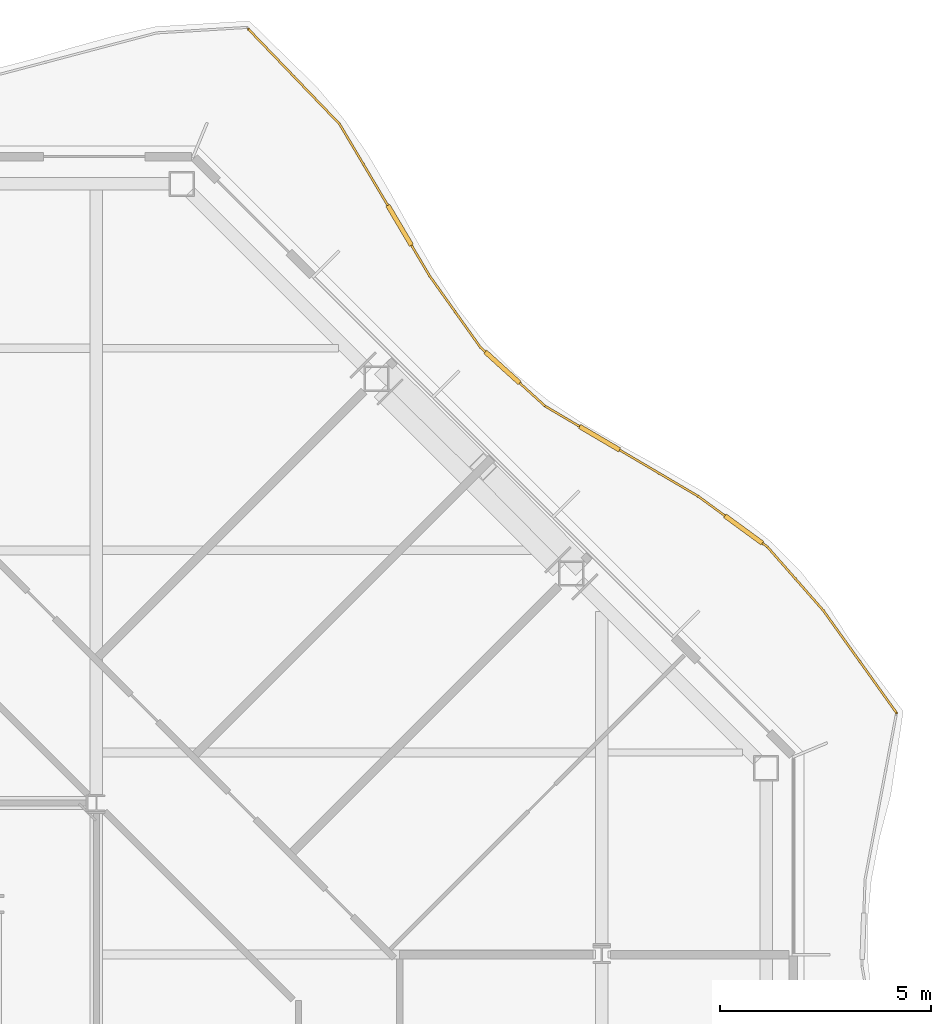
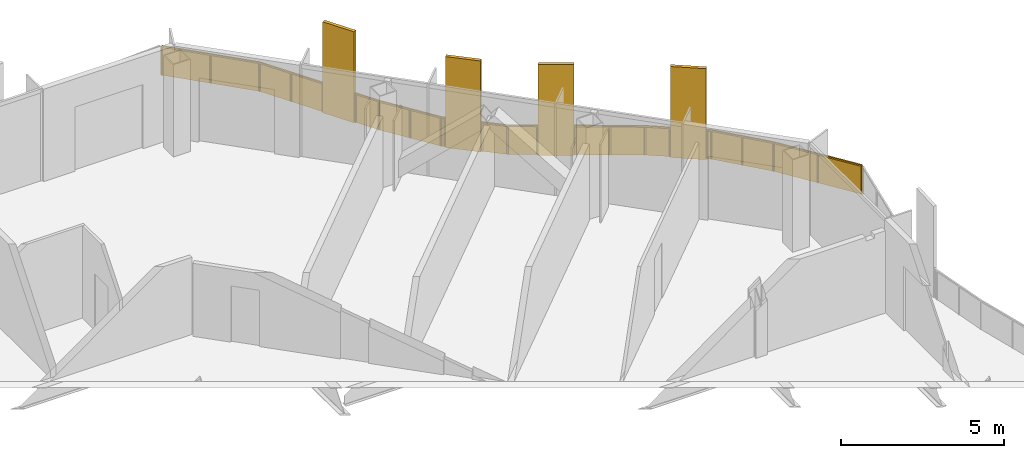
# One storey, part 21 of 21: 1 railing.
"""IFC4 building model written with IfcOpenShell, lengths in metres."""

from ifc_helpers import new_model, si_unit, direction, frame, origin, origin_2d, place, context, subcontext, project, spatial, polyline, rectangle, outline, extrude, material, type_object, element, save


model = new_model("IFC4")

# Units and contexts
model_context = context("Model", 3, precision=1e-05, world=origin(), true_north=direction((0.0, 1.0)))
body_context = subcontext(model_context, "Body", "Model", "MODEL_VIEW")
ifc_project = project(units=[si_unit("LENGTHUNIT", "METRE"), si_unit("AREAUNIT", "SQUARE_METRE"), si_unit("VOLUMEUNIT", "CUBIC_METRE"), si_unit("PLANEANGLEUNIT", "RADIAN"), si_unit("MASSUNIT", "GRAM", prefix="KILO")], contexts=[model_context])

# Site, building, storey
site_placement = place(None, origin())
site = spatial("IfcSite", under=ifc_project, at=site_placement, CompositionType="ELEMENT")
building_placement = place(site_placement, origin())
building = spatial("IfcBuilding", under=site, at=building_placement, Name="Cairn Pilgrim Tower", CompositionType="ELEMENT")
storey_placement = place(building_placement, frame((0.0, 0.0, 154.199951171875)))
storey = spatial("IfcBuildingStorey", under=building, at=storey_placement, Name="L38", CompositionType="ELEMENT", Elevation=154.199951171875)

# Railing
ifc_material = material(Name="Bronze anodised aluminium rail, posts and fin screens with laminated glass infill", Category="aluminium")
railing_type = type_object("IfcRailingType", Name="BALCONY GUARD WITH FIN SCREENS", PredefinedType="GUARDRAIL", material=ifc_material)
railing_placement = place(storey_placement, frame((38.19775390625, 15.341064453125, 0.0)))
element("IfcRailing", 1, at=railing_placement, inside=storey, type_object=railing_type, Name="Balcony guard BGF-4 with fin screens", PredefinedType="GUARDRAIL", context=body_context, shape_type="SweptSolid", body=[
    extrude(rectangle(XDim=0.050048828125, YDim=0.050048828125, at=origin_2d()), frame((0.0, 0.0, 1.0751953125), z_axis=(-0.581772364747, 0.813351655569, 0.0), x_axis=(-0.813351655569, -0.581772364747, 0.0)), (0.0, 0.0, 1.0), 2.982421875),
    extrude(rectangle(XDim=0.050048828125, YDim=0.050048828125, at=origin_2d()), frame((-1.735107421875, 2.42578125, 1.0751953125), z_axis=(-0.659934527254, 0.751323112741, 0.0), x_axis=(-0.751323112741, -0.659934527254, 0.0)), (0.0, 0.0, 1.0), 2.016845703125),
    extrude(rectangle(XDim=1.10009765625, YDim=0.110107421875, at=origin_2d()), frame((-3.631103515625, 4.354248046875, 0.0), z_axis=(0.0, 0.0, 1.0), x_axis=(-0.807162661744, 0.590329092529, 0.0)), (0.0, 0.0, 1.0), 3.39990234375),
    extrude(rectangle(XDim=0.050048828125, YDim=0.050048828125, at=origin_2d()), frame((-3.066162109375, 3.941162109375, 1.0751953125), z_axis=(-0.807162661744, 0.590329092529, 0.0), x_axis=(-0.590329092529, -0.807162661744, 0.0)), (0.0, 0.0, 1.0), 0.14990234375),
    extrude(rectangle(XDim=0.050048828125, YDim=0.050048828125, at=origin_2d()), frame((-4.074951171875, 4.678955078125, 1.0751953125), z_axis=(-0.807162661744, 0.590329092529, 0.0), x_axis=(-0.590329092529, -0.807162661744, 0.0)), (0.0, 0.0, 1.0), 0.787109375),
    extrude(rectangle(XDim=1.10009765625, YDim=0.110107421875, at=origin_2d()), frame((-7.051025390625, 6.521728515625, 0.0), z_axis=(0.0, 0.0, 1.0), x_axis=(-0.861725691822, 0.507374449547, 0.0)), (0.0, 0.0, 1.0), 3.39990234375),
    extrude(rectangle(XDim=0.050048828125, YDim=0.050048828125, at=origin_2d()), frame((-4.710205078125, 5.1435546875, 1.0751953125), z_axis=(-0.861725691822, 0.507374449547, 0.0), x_axis=(-0.507374449547, -0.861725691822, 0.0)), (0.0, 0.0, 1.0), 2.16650390625),
    extrude(rectangle(XDim=0.050048828125, YDim=0.050048828125, at=origin_2d()), frame((-7.52490234375, 6.80078125, 1.0751953125), z_axis=(-0.861725691822, 0.507374449547, 0.0), x_axis=(-0.507374449547, -0.861725691822, 0.0)), (0.0, 0.0, 1.0), 0.94873046875),
    extrude(rectangle(XDim=1.10009765625, YDim=0.110107421875, at=origin_2d()), frame((-9.357421875, 8.202880859375, 0.0), z_axis=(0.0, 0.0, 1.0), x_axis=(-0.740643975383, 0.67189768695, 0.0)), (0.0, 0.0, 1.0), 3.39990234375),
    extrude(rectangle(XDim=0.050048828125, YDim=0.050048828125, at=origin_2d()), frame((-8.342529296875, 7.2822265625, 1.0751953125), z_axis=(-0.740643975383, 0.67189768695, 0.0), x_axis=(-0.67189768695, -0.740643975383, 0.0)), (0.0, 0.0, 1.0), 0.8203125),
    extrude(rectangle(XDim=0.050048828125, YDim=0.050048828125, at=origin_2d()), frame((-9.764892578125, 8.572509765625, 1.0751953125), z_axis=(-0.740643975383, 0.67189768695, 0.0), x_axis=(-0.67189768695, -0.740643975383, 0.0)), (0.0, 0.0, 1.0), 0.150146484375),
    extrude(rectangle(XDim=0.050048828125, YDim=0.050048828125, at=origin_2d()), frame((-9.8759765625, 8.67333984375, 1.0751953125), z_axis=(-0.579677383606, 0.814846078064, 0.0), x_axis=(-0.814846078064, -0.579677383606, 0.0)), (0.0, 0.0, 1.0), 2.087646484375),
    extrude(rectangle(XDim=1.10009765625, YDim=0.110107421875, at=origin_2d()), frame((-11.79833984375, 11.575439453125, 0.0), z_axis=(0.0, 0.0, 1.0), x_axis=(-0.51012160243, 0.860102290855, 0.0)), (0.0, 0.0, 1.0), 3.39990234375),
    extrude(rectangle(XDim=0.050048828125, YDim=0.050048828125, at=origin_2d()), frame((-11.086181640625, 10.37451171875, 1.0751953125), z_axis=(-0.51012160243, 0.860102290855, 0.0), x_axis=(-0.860102290855, -0.51012160243, 0.0)), (0.0, 0.0, 1.0), 0.84619140625),
    extrude(rectangle(XDim=0.050048828125, YDim=0.050048828125, at=origin_2d()), frame((-12.078857421875, 12.04833984375, 1.0751953125), z_axis=(-0.51012160243, 0.860102290855, 0.0), x_axis=(-0.860102290855, -0.51012160243, 0.0)), (0.0, 0.0, 1.0), 2.246337890625),
    extrude(rectangle(XDim=0.050048828125, YDim=0.050048828125, at=origin_2d()), frame((-13.224853515625, 13.98046875, 1.0751953125), z_axis=(-0.692684893514, 0.721240347109, 0.0), x_axis=(-0.721240347109, -0.692684893514, 0.0)), (0.0, 0.0, 1.0), 3.12060546875),
    extrude(rectangle(XDim=0.050048828125, YDim=0.050048828125, at=origin_2d()), origin(), (0.0, 0.0, 1.0), 1.050048828125),
    extrude(rectangle(XDim=0.050048828125, YDim=0.050048828125, at=origin_2d()), frame((-0.86767578125, 1.212890625, 0.0)), (0.0, 0.0, 1.0), 1.050048828125),
    extrude(rectangle(XDim=0.050048828125, YDim=0.050048828125, at=origin_2d()), frame((-1.735107421875, 2.42578125, 0.0)), (0.0, 0.0, 1.0), 1.050048828125),
    extrude(rectangle(XDim=0.050048828125, YDim=0.050048828125, at=origin_2d()), frame((-2.400634765625, 3.18359375, 0.0)), (0.0, 0.0, 1.0), 1.050048828125),
    extrude(rectangle(XDim=0.050048828125, YDim=0.050048828125, at=origin_2d()), frame((-3.066162109375, 3.941162109375, 0.0)), (0.0, 0.0, 1.0), 1.050048828125),
    extrude(rectangle(XDim=0.050048828125, YDim=0.050048828125, at=origin_2d()), frame((-3.1669921875, 4.014892578125, 0.0)), (0.0, 0.0, 1.0), 1.050048828125),
    extrude(rectangle(XDim=0.050048828125, YDim=0.050048828125, at=origin_2d()), frame((-4.09521484375, 4.69384765625, 0.0)), (0.0, 0.0, 1.0), 1.050048828125),
    extrude(rectangle(XDim=0.050048828125, YDim=0.050048828125, at=origin_2d()), frame((-4.710205078125, 5.1435546875, 0.0)), (0.0, 0.0, 1.0), 1.050048828125),
    extrude(rectangle(XDim=0.050048828125, YDim=0.050048828125, at=origin_2d()), frame((-5.6328125, 5.686767578125, 0.0)), (0.0, 0.0, 1.0), 1.050048828125),
    extrude(rectangle(XDim=0.050048828125, YDim=0.050048828125, at=origin_2d()), frame((-6.555419921875, 6.22998046875, 0.0)), (0.0, 0.0, 1.0), 1.050048828125),
    extrude(rectangle(XDim=0.050048828125, YDim=0.050048828125, at=origin_2d()), frame((-7.54638671875, 6.8134765625, 0.0)), (0.0, 0.0, 1.0), 1.050048828125),
    extrude(rectangle(XDim=0.050048828125, YDim=0.050048828125, at=origin_2d()), frame((-8.342529296875, 7.2822265625, 0.0)), (0.0, 0.0, 1.0), 1.050048828125),
    extrude(rectangle(XDim=0.050048828125, YDim=0.050048828125, at=origin_2d()), frame((-8.931640625, 7.816650390625, 0.0)), (0.0, 0.0, 1.0), 1.050048828125),
    extrude(rectangle(XDim=0.050048828125, YDim=0.050048828125, at=origin_2d()), frame((-9.783447265625, 8.58935546875, 0.0)), (0.0, 0.0, 1.0), 1.050048828125),
    extrude(rectangle(XDim=0.050048828125, YDim=0.050048828125, at=origin_2d()), frame((-9.8759765625, 8.67333984375, 0.0)), (0.0, 0.0, 1.0), 1.050048828125),
    extrude(rectangle(XDim=0.050048828125, YDim=0.050048828125, at=origin_2d()), frame((-10.48095703125, 9.52392578125, 0.0)), (0.0, 0.0, 1.0), 1.050048828125),
    extrude(rectangle(XDim=0.050048828125, YDim=0.050048828125, at=origin_2d()), frame((-11.086181640625, 10.37451171875, 0.0)), (0.0, 0.0, 1.0), 1.050048828125),
    extrude(rectangle(XDim=0.050048828125, YDim=0.050048828125, at=origin_2d()), frame((-11.505126953125, 11.080810546875, 0.0)), (0.0, 0.0, 1.0), 1.050048828125),
    extrude(rectangle(XDim=0.050048828125, YDim=0.050048828125, at=origin_2d()), frame((-12.091796875, 12.06982421875, 0.0)), (0.0, 0.0, 1.0), 1.050048828125),
    extrude(rectangle(XDim=0.050048828125, YDim=0.050048828125, at=origin_2d()), frame((-12.658203125, 13.025146484375, 0.0)), (0.0, 0.0, 1.0), 1.050048828125),
    extrude(rectangle(XDim=0.050048828125, YDim=0.050048828125, at=origin_2d()), frame((-13.224853515625, 13.98046875, 0.0)), (0.0, 0.0, 1.0), 1.050048828125),
    extrude(rectangle(XDim=0.050048828125, YDim=0.050048828125, at=origin_2d()), frame((-14.3056640625, 15.10595703125, 0.0)), (0.0, 0.0, 1.0), 1.050048828125),
    extrude(rectangle(XDim=0.050048828125, YDim=0.050048828125, at=origin_2d()), frame((-15.386474609375, 16.231201171875, 0.0)), (0.0, 0.0, 1.0), 1.050048828125),
    extrude(outline(polyline([(0.02490234375, 0.0), (1.46630859375, 0.0), (1.46630859375, 1.050048828125), (0.02490234375, 1.050048828125), (0.02490234375, 0.0)])), frame((-0.0048828125, -0.00341796875, 0.0), z_axis=(0.813351655569, 0.581772364747, 0.0), x_axis=(-0.581772364747, 0.813351655569, 0.0)), (0.0, 0.0, 1.0), 0.011962890625),
    extrude(outline(polyline([(0.02490234375, 0.0), (1.46630859375, 0.0), (1.46630859375, 1.050048828125), (0.02490234375, 1.050048828125), (0.02490234375, 0.0)])), frame((-0.872314453125, 1.20947265625, 0.0), z_axis=(0.813351655569, 0.581772364747, 0.0), x_axis=(-0.581772364747, 0.813351655569, 0.0)), (0.0, 0.0, 1.0), 0.011962890625),
    extrude(outline(polyline([(0.02490234375, 0.0), (0.9833984375, 0.0), (0.9833984375, 1.050048828125), (0.02490234375, 1.050048828125), (0.02490234375, 0.0)])), frame((-1.739501953125, 2.421875, 0.0), z_axis=(0.751323112741, 0.659934527254, 0.0), x_axis=(-0.659934527254, 0.751323112741, 0.0)), (0.0, 0.0, 1.0), 0.011962890625),
    extrude(outline(polyline([(0.02490234375, 0.0), (0.9833984375, 0.0), (0.9833984375, 1.050048828125), (0.02490234375, 1.050048828125), (0.02490234375, 0.0)])), frame((-2.405029296875, 3.179443359375, 0.0), z_axis=(0.751323112741, 0.659934527254, 0.0), x_axis=(-0.659934527254, 0.751323112741, 0.0)), (0.0, 0.0, 1.0), 0.011962890625),
    extrude(outline(polyline([(0.02490234375, 0.0), (0.099853515625, 0.0), (0.099853515625, 1.050048828125), (0.02490234375, 1.050048828125), (0.02490234375, 0.0)])), frame((-3.069580078125, 3.936279296875, 0.0), z_axis=(0.590329092529, 0.807162661744, 0.0), x_axis=(-0.807162661744, 0.590329092529, 0.0)), (0.0, 0.0, 1.0), 0.011962890625),
    extrude(outline(polyline([(0.02490234375, 0.0), (0.737060546875, 0.0), (0.737060546875, 1.050048828125), (0.02490234375, 1.050048828125), (0.02490234375, 0.0)])), frame((-4.0986328125, 4.68896484375, 0.0), z_axis=(0.590329092529, 0.807162661744, 0.0), x_axis=(-0.807162661744, 0.590329092529, 0.0)), (0.0, 0.0, 1.0), 0.011962890625),
    extrude(outline(polyline([(0.02490234375, 0.0), (1.045654296875, 0.0), (1.045654296875, 1.050048828125), (0.02490234375, 1.050048828125), (0.02490234375, 0.0)])), frame((-4.713134765625, 5.138427734375, 0.0), z_axis=(0.507374449547, 0.861725691822, 0.0), x_axis=(-0.861725691822, 0.507374449547, 0.0)), (0.0, 0.0, 1.0), 0.011962890625),
    extrude(outline(polyline([(0.02490234375, 0.0), (1.045654296875, 0.0), (1.045654296875, 1.050048828125), (0.02490234375, 1.050048828125), (0.02490234375, 0.0)])), frame((-5.635986328125, 5.681640625, 0.0), z_axis=(0.507374449547, 0.861725691822, 0.0), x_axis=(-0.861725691822, 0.507374449547, 0.0)), (0.0, 0.0, 1.0), 0.011962890625),
    extrude(outline(polyline([(0.02490234375, 0.0), (0.898681640625, 0.0), (0.898681640625, 1.050048828125), (0.02490234375, 1.050048828125), (0.02490234375, 0.0)])), frame((-7.549560546875, 6.808349609375, 0.0), z_axis=(0.507374449547, 0.861725691822, 0.0), x_axis=(-0.861725691822, 0.507374449547, 0.0)), (0.0, 0.0, 1.0), 0.011962890625),
    extrude(outline(polyline([(0.02490234375, 0.0), (0.770263671875, 0.0), (0.770263671875, 1.050048828125), (0.02490234375, 1.050048828125), (0.02490234375, 0.0)])), frame((-8.346435546875, 7.27783203125, 0.0), z_axis=(0.67189768695, 0.740643975383, 0.0), x_axis=(-0.740643975383, 0.67189768695, 0.0)), (0.0, 0.0, 1.0), 0.011962890625),
    extrude(outline(polyline([(0.02490234375, 0.0), (0.10009765625, 0.0), (0.10009765625, 1.050048828125), (0.02490234375, 1.050048828125), (0.02490234375, 0.0)])), frame((-9.787353515625, 8.5849609375, 0.0), z_axis=(0.67189768695, 0.740643975383, 0.0), x_axis=(-0.740643975383, 0.67189768695, 0.0)), (0.0, 0.0, 1.0), 0.011962890625),
    extrude(outline(polyline([(0.02490234375, 0.0), (1.018798828125, 0.0), (1.018798828125, 1.050048828125), (0.02490234375, 1.050048828125), (0.02490234375, 0.0)])), frame((-9.880859375, 8.669921875, 0.0), z_axis=(0.814846078064, 0.579677383606, 0.0), x_axis=(-0.579677383606, 0.814846078064, 0.0)), (0.0, 0.0, 1.0), 0.011962890625),
    extrude(outline(polyline([(0.02490234375, 0.0), (1.018798828125, 0.0), (1.018798828125, 1.050048828125), (0.02490234375, 1.050048828125), (0.02490234375, 0.0)])), frame((-10.48583984375, 9.5205078125, 0.0), z_axis=(0.814846078064, 0.579677383606, 0.0), x_axis=(-0.579677383606, 0.814846078064, 0.0)), (0.0, 0.0, 1.0), 0.011962890625),
    extrude(outline(polyline([(0.02490234375, 0.0), (0.796142578125, 0.0), (0.796142578125, 1.050048828125), (0.02490234375, 1.050048828125), (0.02490234375, 0.0)])), frame((-11.09130859375, 10.37158203125, 0.0), z_axis=(0.860102290855, 0.51012160243, 0.0), x_axis=(-0.51012160243, 0.860102290855, 0.0)), (0.0, 0.0, 1.0), 0.011962890625),
    extrude(outline(polyline([(0.02490234375, 0.0), (1.085693359375, 0.0), (1.085693359375, 1.050048828125), (0.02490234375, 1.050048828125), (0.02490234375, 0.0)])), frame((-12.096923828125, 12.06689453125, 0.0), z_axis=(0.860102290855, 0.51012160243, 0.0), x_axis=(-0.51012160243, 0.860102290855, 0.0)), (0.0, 0.0, 1.0), 0.011962890625),
    extrude(outline(polyline([(0.02490234375, 0.0), (1.085693359375, 0.0), (1.085693359375, 1.050048828125), (0.02490234375, 1.050048828125), (0.02490234375, 0.0)])), frame((-12.663330078125, 13.022216796875, 0.0), z_axis=(0.860102290855, 0.51012160243, 0.0), x_axis=(-0.51012160243, 0.860102290855, 0.0)), (0.0, 0.0, 1.0), 0.011962890625),
    extrude(outline(polyline([(0.02490234375, 0.0), (1.535400390625, 0.0), (1.535400390625, 1.050048828125), (0.02490234375, 1.050048828125), (0.02490234375, 0.0)])), frame((-13.229248046875, 13.976318359375, 0.0), z_axis=(0.721240347109, 0.692684893514, 0.0), x_axis=(-0.692684893514, 0.721240347109, 0.0)), (0.0, 0.0, 1.0), 0.011962890625),
    extrude(outline(polyline([(0.02490234375, 0.0), (1.535400390625, 0.0), (1.535400390625, 1.050048828125), (0.02490234375, 1.050048828125), (0.02490234375, 0.0)])), frame((-14.31005859375, 15.101806640625, 0.0), z_axis=(0.721240347109, 0.692684893514, 0.0), x_axis=(-0.692684893514, 0.721240347109, 0.0)), (0.0, 0.0, 1.0), 0.011962890625),
])

save(model, "model.ifc")
